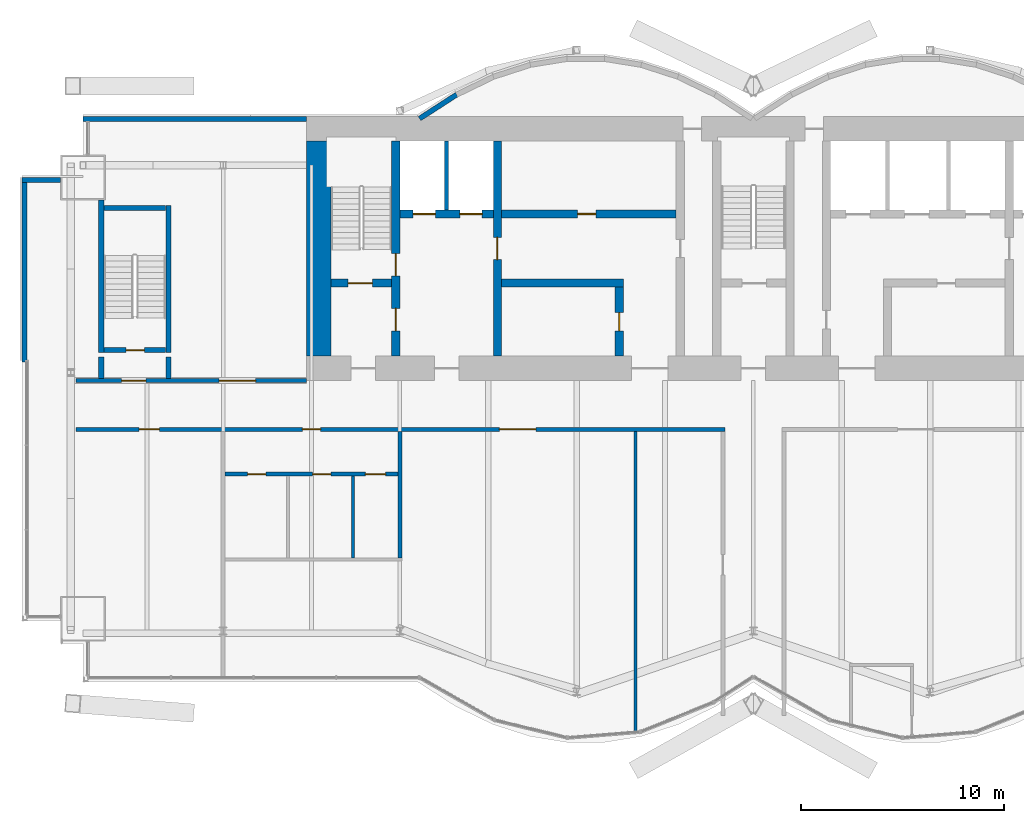
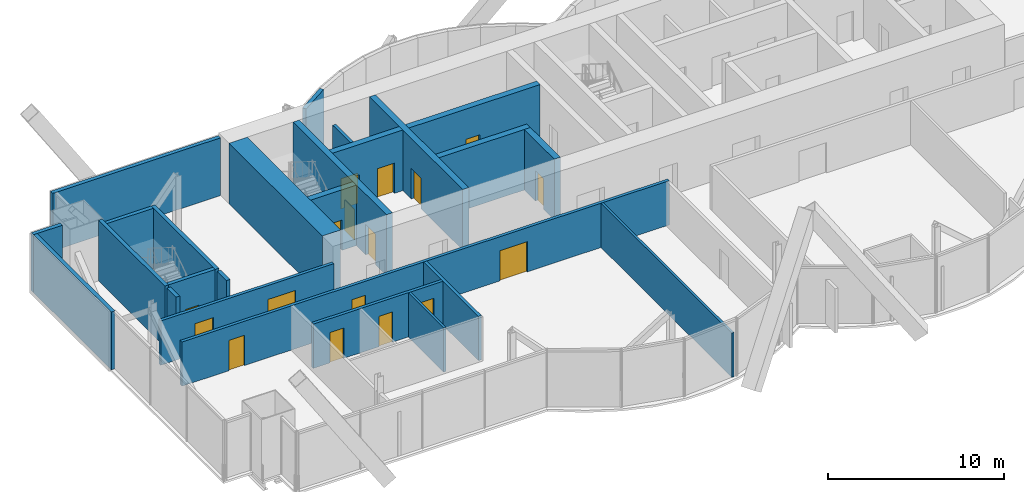
# One storey, part 13 of 19: 24 walls, 17 doors, 17 openings.
"""IFC4 building model written with IfcOpenShell, lengths in metres."""

from ifc_helpers import new_model, si_unit, direction, frame, frame_2d, origin, place, context, subcontext, project, spatial, rectangle, extrude, material, layer, layer_set, layer_usage, type_object, element, fill, save


model = new_model("IFC4")

# Units and contexts
model_context = context("Model", 3, precision=1e-05, world=origin(), true_north=direction((0.0, 1.0)))
body_context = subcontext(model_context, "Body", "Model", "MODEL_VIEW")
ifc_project = project(units=[si_unit("LENGTHUNIT", "METRE"), si_unit("AREAUNIT", "SQUARE_METRE"), si_unit("VOLUMEUNIT", "CUBIC_METRE"), si_unit("PLANEANGLEUNIT", "RADIAN"), si_unit("MASSUNIT", "GRAM", prefix="KILO")], contexts=[model_context])

# Site, building, storey
site_placement = place(None, origin())
site = spatial("IfcSite", under=ifc_project, at=site_placement, CompositionType="ELEMENT")
building_placement = place(site_placement, origin())
building = spatial("IfcBuilding", under=site, at=building_placement, Name="Bicima Exchange Tower", CompositionType="ELEMENT")
storey_placement = place(building_placement, frame((0.0, 0.0, 283.39990234375)))
storey = spatial("IfcBuildingStorey", under=building, at=storey_placement, Name="L64", CompositionType="ELEMENT", Elevation=283.39990234375)

# Wall
ifc_material_1 = material(Name="Gypsum board partition")
ifc_layer_1 = layer(ifc_material_1, 0.199951171875)
ifc_layer_set_1 = layer_set([ifc_layer_1], Name="Gypsum board partition")
wall_type_1 = type_object("IfcWallType", Name="Fire-rated gypsum partition 200 EI120", PredefinedType="PARTITIONING", material=ifc_layer_set_1)
wall_1_placement = place(storey_placement, frame((-15.10009765625, -4.60009765625, 0.0), z_axis=(0.0, 0.0, 1.0), x_axis=(0.0, 1.0, 0.0)))
element("IfcWall", 1, at=wall_1_placement, inside=storey, type_object=wall_type_1, Name="partition wall 9", PredefinedType="PARTITIONING", context=body_context, shape_type="SweptSolid", body=[
    extrude(rectangle(XDim=3.400146484375, YDim=0.199951171875, at=frame_2d((1.7001953125, 0.0))), origin(), (0.0, 0.0, 1.0), 3.068359375),
])

# Wall, openings, doors
ifc_layer_2 = layer(ifc_material_1, 0.199951171875)
ifc_layer_set_2 = layer_set([ifc_layer_2], Name="Gypsum board partition")
wall_type_2 = type_object("IfcWallType", Name="Fire-rated gypsum partition 200 EI60", PredefinedType="PARTITIONING", material=ifc_layer_set_2)
wall_2_placement = place(storey_placement, frame((-26.0, -17.60009765625, 0.0), z_axis=(0.0, 0.0, 1.0), x_axis=(1.0, 0.0, 0.0)))
wall_2 = element("IfcWall", 2, at=wall_2_placement, inside=storey, type_object=wall_type_2, Name="partition wall 4", PredefinedType="PARTITIONING", context=body_context, shape_type="SweptSolid", body=[
    extrude(rectangle(XDim=8.5, YDim=0.199951171875, at=frame_2d((4.25, 0.0))), origin(), (0.0, 0.0, 1.0), 3.068359375),
])
opening_1_placement = place(wall_2_placement, frame((1.10009765625, 0.0, 0.0)))
opening_1 = element("IfcOpeningElement", 3, at=opening_1_placement, cuts=wall_2, Name="Opening L64-009", PredefinedType="OPENING", context=body_context, shape_type="SweptSolid", body=[
    extrude(rectangle(XDim=0.89990234375, YDim=2.10009765625, at=frame_2d((0.449951171875, 1.050048828125))), frame((0.0, 0.11181640625, 0.0), z_axis=(0.0, -1.0, 0.0), x_axis=(1.0, 0.0, 0.0)), (0.0, 0.0, 1.0), 0.223876953125),
])
opening_2_placement = place(wall_2_placement, frame((4.300048828125, 0.0, 0.0)))
opening_2 = element("IfcOpeningElement", 4, at=opening_2_placement, cuts=wall_2, Name="Opening L64-010", PredefinedType="OPENING", context=body_context, shape_type="SweptSolid", body=[
    extrude(rectangle(XDim=0.89990234375, YDim=2.10009765625, at=frame_2d((0.449951171875, 1.050048828125))), frame((0.0, 0.11181640625, 0.0), z_axis=(0.0, -1.0, 0.0), x_axis=(1.0, 0.0, 0.0)), (0.0, 0.0, 1.0), 0.223876953125),
])
opening_3_placement = place(wall_2_placement, frame((6.89990234375, 0.0, 0.0)))
opening_3 = element("IfcOpeningElement", 5, at=opening_3_placement, cuts=wall_2, Name="Opening L64-011", PredefinedType="OPENING", context=body_context, shape_type="SweptSolid", body=[
    extrude(rectangle(XDim=1.0, YDim=2.10009765625, at=frame_2d((0.5, 1.050048828125))), frame((0.0, 0.11181640625, 0.0), z_axis=(0.0, -1.0, 0.0), x_axis=(1.0, 0.0, 0.0)), (0.0, 0.0, 1.0), 0.223876953125),
])
ifc_material_2 = material(Name="Steel fire door leaf", Category="steel")
door_type_1 = type_object("IfcDoorType", Name="Door 1000 swing FD30S", OperationType="SINGLE_SWING_LEFT", PredefinedType="DOOR", material=ifc_material_2)
door_1_placement = place(opening_3_placement, frame((1.0, 0.0, 0.0), z_axis=(0.0, 0.0, 1.0), x_axis=(-1.0, 0.0, 0.0)))
door_1 = element("IfcDoor", 6, at=door_1_placement, inside=storey, type_object=door_type_1, Name="Door", OperationType="SINGLE_SWING_RIGHT", OverallHeight=2.10009765625, OverallWidth=1.0, PredefinedType="DOOR", context=body_context, shape_type="SweptSolid", body=[
    extrude(rectangle(XDim=1.0, YDim=2.10009765625, at=frame_2d((0.5, 1.050048828125))), frame((0.0, 0.02490234375, 0.0), z_axis=(0.0, -1.0, 0.0), x_axis=(1.0, 0.0, 0.0)), (0.0, 0.0, 1.0), 0.050048828125),
])
fill(opening_3, door_1)
door_type_2 = type_object("IfcDoorType", Name="Door 900 swing FD30S", OperationType="SINGLE_SWING_LEFT", PredefinedType="DOOR", material=ifc_material_2)
door_2_placement = place(opening_1_placement, frame((0.89990234375, 0.0, 0.0), z_axis=(0.0, 0.0, 1.0), x_axis=(-1.0, 0.0, 0.0)))
door_2 = element("IfcDoor", 7, at=door_2_placement, inside=storey, type_object=door_type_2, Name="Door", OperationType="SINGLE_SWING_RIGHT", OverallHeight=2.10009765625, OverallWidth=0.89990234375, PredefinedType="DOOR", context=body_context, shape_type="SweptSolid", body=[
    extrude(rectangle(XDim=0.89990234375, YDim=2.10009765625, at=frame_2d((0.449951171875, 1.050048828125))), frame((0.0, 0.02490234375, 0.0), z_axis=(0.0, -1.0, 0.0), x_axis=(1.0, 0.0, 0.0)), (0.0, 0.0, 1.0), 0.050048828125),
])
fill(opening_1, door_2)
door_3_placement = place(opening_2_placement, frame((0.89990234375, 0.0, 0.0), z_axis=(0.0, 0.0, 1.0), x_axis=(-1.0, 0.0, 0.0)))
door_3 = element("IfcDoor", 8, at=door_3_placement, inside=storey, type_object=door_type_2, Name="Door", OperationType="SINGLE_SWING_LEFT", OverallHeight=2.10009765625, OverallWidth=0.89990234375, PredefinedType="DOOR", context=body_context, shape_type="SweptSolid", body=[
    extrude(rectangle(XDim=0.89990234375, YDim=2.10009765625, at=frame_2d((0.449951171875, 1.050048828125))), frame((0.0, 0.02490234375, 0.0), z_axis=(0.0, -1.0, 0.0), x_axis=(1.0, 0.0, 0.0)), (0.0, 0.0, 1.0), 0.050048828125),
])
fill(opening_2, door_3)

wall_3_placement = place(storey_placement, frame((-33.340087890625, -15.39990234375, 0.0), z_axis=(0.0, 0.0, 1.0), x_axis=(1.0, 0.0, 0.0)))
wall_3 = element("IfcWall", 9, at=wall_3_placement, inside=storey, type_object=wall_type_2, Name="partition wall 5", PredefinedType="PARTITIONING", context=body_context, shape_type="SweptSolid", body=[
    extrude(rectangle(XDim=31.940185546875, YDim=0.199951171875, at=frame_2d((15.97021484375, 0.0))), origin(), (0.0, 0.0, 1.0), 3.068359375),
])
opening_4_placement = place(wall_3_placement, frame((3.10009765625, 0.0, 0.0)))
opening_4 = element("IfcOpeningElement", 10, at=opening_4_placement, cuts=wall_3, Name="Opening L64-007", PredefinedType="OPENING", context=body_context, shape_type="SweptSolid", body=[
    extrude(rectangle(XDim=1.0, YDim=2.10009765625, at=frame_2d((0.5, 1.050048828125))), frame((0.0, 0.11181640625, 0.0), z_axis=(0.0, -1.0, 0.0), x_axis=(1.0, 0.0, 0.0)), (0.0, 0.0, 1.0), 0.223876953125),
])
opening_5_placement = place(wall_3_placement, frame((11.139892578125, 0.0, 0.0)))
opening_5 = element("IfcOpeningElement", 11, at=opening_5_placement, cuts=wall_3, Name="Opening L64-008", PredefinedType="OPENING", context=body_context, shape_type="SweptSolid", body=[
    extrude(rectangle(XDim=0.89990234375, YDim=2.10009765625, at=frame_2d((0.449951171875, 1.050048828125))), frame((0.0, 0.11181640625, 0.0), z_axis=(0.0, -1.0, 0.0), x_axis=(1.0, 0.0, 0.0)), (0.0, 0.0, 1.0), 0.223876953125),
])
opening_6_placement = place(wall_3_placement, frame((20.840087890625, 0.0, 0.0)))
opening_6 = element("IfcOpeningElement", 12, at=opening_6_placement, cuts=wall_3, Name="Opening L64-012", PredefinedType="OPENING", context=body_context, shape_type="SweptSolid", body=[
    extrude(rectangle(XDim=1.800048828125, YDim=2.10009765625, at=frame_2d((0.89990234375, 1.050048828125))), frame((0.0, 0.11181640625, 0.0), z_axis=(0.0, -1.0, 0.0), x_axis=(1.0, 0.0, 0.0)), (0.0, 0.0, 1.0), 0.223876953125),
])
door_4_placement = place(opening_4_placement, frame((1.0, 0.0, 0.0), z_axis=(0.0, 0.0, 1.0), x_axis=(-1.0, 0.0, 0.0)))
door_4 = element("IfcDoor", 13, at=door_4_placement, inside=storey, type_object=door_type_1, Name="Door", OperationType="SINGLE_SWING_LEFT", OverallHeight=2.10009765625, OverallWidth=1.0, PredefinedType="DOOR", context=body_context, shape_type="SweptSolid", body=[
    extrude(rectangle(XDim=1.0, YDim=2.10009765625, at=frame_2d((0.5, 1.050048828125))), frame((0.0, 0.02490234375, 0.0), z_axis=(0.0, -1.0, 0.0), x_axis=(1.0, 0.0, 0.0)), (0.0, 0.0, 1.0), 0.050048828125),
])
fill(opening_4, door_4)
door_type_3 = type_object("IfcDoorType", Name="Door 1800 double swing FD30S", OperationType="DOUBLE_DOOR_SINGLE_SWING", PredefinedType="DOOR", material=ifc_material_2)
door_5_placement = place(opening_6_placement, origin())
door_5 = element("IfcDoor", 14, at=door_5_placement, inside=storey, type_object=door_type_3, Name="Door", OperationType="SINGLE_SWING_LEFT", OverallHeight=2.10009765625, OverallWidth=1.800048828125, PredefinedType="DOOR", context=body_context, shape_type="SweptSolid", body=[
    extrude(rectangle(XDim=1.800048828125, YDim=2.10009765625, at=frame_2d((0.89990234375, 1.050048828125))), frame((0.0, 0.02490234375, 0.0), z_axis=(0.0, -1.0, 0.0), x_axis=(1.0, 0.0, 0.0)), (0.0, 0.0, 1.0), 0.050048828125),
])
fill(opening_6, door_5)
door_6_placement = place(opening_5_placement, frame((0.89990234375, 0.0, 0.0), z_axis=(0.0, 0.0, 1.0), x_axis=(-1.0, 0.0, 0.0)))
door_6 = element("IfcDoor", 15, at=door_6_placement, inside=storey, type_object=door_type_2, Name="Door", OperationType="SINGLE_SWING_RIGHT", OverallHeight=2.10009765625, OverallWidth=0.89990234375, PredefinedType="DOOR", context=body_context, shape_type="SweptSolid", body=[
    extrude(rectangle(XDim=0.89990234375, YDim=2.10009765625, at=frame_2d((0.449951171875, 1.050048828125))), frame((0.0, 0.02490234375, 0.0), z_axis=(0.0, -1.0, 0.0), x_axis=(1.0, 0.0, 0.0)), (0.0, 0.0, 1.0), 0.050048828125),
])
fill(opening_5, door_6)

wall_4_placement = place(storey_placement, frame((-33.340087890625, -13.0, 0.0), z_axis=(0.0, 0.0, 1.0), x_axis=(1.0, 0.0, 0.0)))
wall_4 = element("IfcWall", 16, at=wall_4_placement, inside=storey, type_object=wall_type_2, Name="partition wall 7", PredefinedType="PARTITIONING", context=body_context, shape_type="SweptSolid", body=[
    extrude(rectangle(XDim=11.340087890625, YDim=0.199951171875, at=frame_2d((5.669921875, 0.0))), origin(), (0.0, 0.0, 1.0), 3.068359375),
])
opening_7_placement = place(wall_4_placement, frame((2.239990234375, 0.0, 0.0)))
opening_7 = element("IfcOpeningElement", 17, at=opening_7_placement, cuts=wall_4, Name="Opening L64-001", PredefinedType="OPENING", context=body_context, shape_type="SweptSolid", body=[
    extrude(rectangle(XDim=1.199951171875, YDim=2.10009765625, at=frame_2d((0.60009765625, 1.050048828125))), frame((0.0, 0.11181640625, 0.0), z_axis=(0.0, -1.0, 0.0), x_axis=(1.0, 0.0, 0.0)), (0.0, 0.0, 1.0), 0.223876953125),
])
opening_8_placement = place(wall_4_placement, frame((7.0400390625, 0.0, 0.0)))
opening_8 = element("IfcOpeningElement", 18, at=opening_8_placement, cuts=wall_4, Name="Opening L64-005", PredefinedType="OPENING", context=body_context, shape_type="SweptSolid", body=[
    extrude(rectangle(XDim=1.800048828125, YDim=2.10009765625, at=frame_2d((0.89990234375, 1.050048828125))), frame((0.0, 0.11181640625, 0.0), z_axis=(0.0, -1.0, 0.0), x_axis=(1.0, 0.0, 0.0)), (0.0, 0.0, 1.0), 0.223876953125),
])
door_type_4 = type_object("IfcDoorType", Name="Door 1200 swing FD30S", OperationType="SINGLE_SWING_LEFT", PredefinedType="DOOR", material=ifc_material_2)
door_7_placement = place(opening_7_placement, origin())
door_7 = element("IfcDoor", 19, at=door_7_placement, inside=storey, type_object=door_type_4, Name="Door", OperationType="SINGLE_SWING_LEFT", OverallHeight=2.10009765625, OverallWidth=1.199951171875, PredefinedType="DOOR", context=body_context, shape_type="SweptSolid", body=[
    extrude(rectangle(XDim=1.199951171875, YDim=2.10009765625, at=frame_2d((0.60009765625, 1.050048828125))), frame((0.0, 0.02490234375, 0.0), z_axis=(0.0, -1.0, 0.0), x_axis=(1.0, 0.0, 0.0)), (0.0, 0.0, 1.0), 0.050048828125),
])
fill(opening_7, door_7)
door_8_placement = place(opening_8_placement, origin())
door_8 = element("IfcDoor", 20, at=door_8_placement, inside=storey, type_object=door_type_3, Name="Door", OperationType="SINGLE_SWING_LEFT", OverallHeight=2.10009765625, OverallWidth=1.800048828125, PredefinedType="DOOR", context=body_context, shape_type="SweptSolid", body=[
    extrude(rectangle(XDim=1.800048828125, YDim=2.10009765625, at=frame_2d((0.89990234375, 1.050048828125))), frame((0.0, 0.02490234375, 0.0), z_axis=(0.0, -1.0, 0.0), x_axis=(1.0, 0.0, 0.0)), (0.0, 0.0, 1.0), 0.050048828125),
])
fill(opening_8, door_8)

# Walls
wall_5_placement = place(storey_placement, frame((-17.39990234375, -21.72509765625, 0.0), z_axis=(0.0, 0.0, 1.0), x_axis=(0.0, 1.0, 0.0)))
element("IfcWall", 21, at=wall_5_placement, inside=storey, type_object=wall_type_2, Name="partition wall 18", PredefinedType="PARTITIONING", context=body_context, shape_type="SweptSolid", body=[
    extrude(rectangle(XDim=6.22509765625, YDim=0.199951171875, at=frame_2d((3.112548828125, 0.0))), origin(), (0.0, 0.0, 1.0), 3.068359375),
])
ifc_layer_3 = layer(ifc_material_1, 0.14990234375)
ifc_layer_set_3 = layer_set([ifc_layer_3], Name="Gypsum board partition")
wall_type_3 = type_object("IfcWallType", Name="Gypsum partition 150", PredefinedType="PARTITIONING", material=ifc_layer_set_3)
wall_6_placement = place(storey_placement, frame((-19.699951171875, -21.72509765625, 0.0), z_axis=(0.0, 0.0, 1.0), x_axis=(0.0, 1.0, 0.0)))
element("IfcWall", 22, at=wall_6_placement, inside=storey, type_object=wall_type_3, Name="partition wall 17", PredefinedType="PARTITIONING", context=body_context, shape_type="SweptSolid", body=[
    extrude(rectangle(XDim=4.025146484375, YDim=0.14990234375, at=frame_2d((2.0126953125, 0.0))), origin(), (0.0, 0.0, 1.0), 3.068359375),
])
wall_7_placement = place(storey_placement, frame((-5.800048828125, -30.35009765625, 0.0), z_axis=(0.0, 0.0, 1.0), x_axis=(0.0, 1.0, 0.0)))
element("IfcWall", 23, at=wall_7_placement, inside=storey, type_object=wall_type_3, Name="partition wall 19", PredefinedType="PARTITIONING", context=body_context, shape_type="SweptSolid", body=[
    extrude(rectangle(XDim=14.85009765625, YDim=0.14990234375, at=frame_2d((7.425048828125, 0.0))), origin(), (0.0, 0.0, 1.0), 3.068359375),
])
ifc_material_3 = material(Name="Concrete C40/50", Category="concrete")
ifc_layer_4 = layer(ifc_material_3, 1.199951171875)
ifc_layer_set_4 = layer_set([ifc_layer_4], Name="Concrete C40/50")
wall_type_4 = type_object("IfcWallType", Name="RC core wall 1200 C40/50", PredefinedType="SHEAR", material=ifc_layer_set_4)
wall_8_placement = place(storey_placement, frame((-21.39990234375, -11.800048828125, 0.0), z_axis=(0.0, 0.0, 1.0), x_axis=(0.0, 1.0, 0.0)))
element("IfcWall", 24, at=wall_8_placement, inside=storey, type_object=wall_type_4, Name="Core wall west", PredefinedType="SHEAR", context=body_context, shape_type="SweptSolid", body=[
    extrude(rectangle(XDim=10.60009765625, YDim=1.199951171875, at=frame_2d((5.300048828125, 0.0))), origin(), (0.0, 0.0, 1.0), 4.2001953125),
])
ifc_material_4 = material(Name="Concrete C50/60", Category="concrete")
ifc_layer_5 = layer(ifc_material_4, 0.25)
ifc_layer_set_5 = layer_set([ifc_layer_5], Name="Concrete C50/60")
wall_type_5 = type_object("IfcWallType", Name="RC core wall 250 C50/60", PredefinedType="SHEAR", material=ifc_layer_set_5)
for number, where, z_axis, x_axis, name in (
    (25, (-32.10009765625, -12.89990234375, 0.0), (0.0, 0.0, 1.0), (0.0, 1.0, 0.0), "stair wall 13"),
    (26, (-28.800048828125, -12.89990234375, 0.0), (0.0, 0.0, 1.0), (0.0, 1.0, 0.0), "stair wall 14"),
):
    element("IfcWall", number, at=place(storey_placement, frame(where, z_axis=z_axis, x_axis=x_axis)), inside=storey, type_object=wall_type_5, Name=name, PredefinedType="SHEAR", context=body_context, shape_type="SweptSolid", body=[
        extrude(rectangle(XDim=1.0498046875, YDim=0.25, at=frame_2d((0.52490234375, 0.0))), origin(), (0.0, 0.0, 1.0), 4.2001953125),
    ])
ifc_layer_6 = layer(ifc_material_3, 0.39990234375)
ifc_layer_set_6 = layer_set([ifc_layer_6], Name="Concrete C40/50")
wall_type_6 = type_object("IfcWallType", Name="RC core wall 400 C40/50", PredefinedType="SHEAR", material=ifc_layer_set_6)
wall_9_placement = place(storey_placement, frame((-12.39990234375, -8.199951171875, 0.0), z_axis=(0.0, 0.0, 1.0), x_axis=(1.0, 0.0, 0.0)))
element("IfcWall", 27, at=wall_9_placement, inside=storey, type_object=wall_type_6, Name="shear wall 2", PredefinedType="SHEAR", context=body_context, shape_type="SweptSolid", body=[
    extrude(rectangle(XDim=6.0, YDim=0.39990234375, at=frame_2d((3.0, 0.0))), origin(), (0.0, 0.0, 1.0), 4.2001953125),
])

# Wall, openings, doors
wall_10_placement = place(storey_placement, frame((-17.39990234375, -4.800048828125, 0.0), z_axis=(0.0, 0.0, 1.0), x_axis=(1.0, 0.0, 0.0)))
wall_10 = element("IfcWall", 28, at=wall_10_placement, inside=storey, type_object=wall_type_6, Name="shear wall 6", PredefinedType="SHEAR", context=body_context, shape_type="SweptSolid", body=[
    extrude(rectangle(XDim=13.599853515625, YDim=0.39990234375, at=frame_2d((6.7998046875, 0.0))), origin(), (0.0, 0.0, 1.0), 4.2001953125),
])
opening_9_placement = place(wall_10_placement, frame((0.64990234375, 0.0, 0.0)))
opening_9 = element("IfcOpeningElement", 29, at=opening_9_placement, cuts=wall_10, Name="Opening LD-FF1-L64", PredefinedType="OPENING", context=body_context, shape_type="SweptSolid", body=[
    extrude(rectangle(XDim=1.10009765625, YDim=2.10009765625, at=frame_2d((0.550048828125, 1.050048828125))), frame((0.0, 0.2119140625, 0.0), z_axis=(0.0, -1.0, 0.0), x_axis=(1.0, 0.0, 0.0)), (0.0, 0.0, 1.0), 0.423828125),
])
opening_10_placement = place(wall_10_placement, frame((2.949951171875, 0.0, 0.0)))
opening_10 = element("IfcOpeningElement", 30, at=opening_10_placement, cuts=wall_10, Name="Opening LD-FF3-L64", PredefinedType="OPENING", context=body_context, shape_type="SweptSolid", body=[
    extrude(rectangle(XDim=1.10009765625, YDim=2.10009765625, at=frame_2d((0.550048828125, 1.050048828125))), frame((0.0, 0.2119140625, 0.0), z_axis=(0.0, -1.0, 0.0), x_axis=(1.0, 0.0, 0.0)), (0.0, 0.0, 1.0), 0.423828125),
])
opening_11_placement = place(wall_10_placement, frame((8.75, 0.0, 0.0)))
opening_11 = element("IfcOpeningElement", 31, at=opening_11_placement, cuts=wall_10, Name="Opening L64-C12", PredefinedType="OPENING", context=body_context, shape_type="SweptSolid", body=[
    extrude(rectangle(XDim=0.89990234375, YDim=2.10009765625, at=frame_2d((0.449951171875, 1.050048828125))), frame((0.0, 0.2119140625, 0.0), z_axis=(0.0, -1.0, 0.0), x_axis=(1.0, 0.0, 0.0)), (0.0, 0.0, 1.0), 0.423828125),
])
door_9_placement = place(opening_11_placement, origin())
door_9 = element("IfcDoor", 32, at=door_9_placement, inside=storey, type_object=door_type_2, Name="Core door", OperationType="SINGLE_SWING_RIGHT", OverallHeight=2.10009765625, OverallWidth=0.89990234375, PredefinedType="DOOR", context=body_context, shape_type="SweptSolid", body=[
    extrude(rectangle(XDim=0.89990234375, YDim=2.10009765625, at=frame_2d((0.449951171875, 1.050048828125))), frame((0.0, 0.02490234375, 0.0), z_axis=(0.0, -1.0, 0.0), x_axis=(1.0, 0.0, 0.0)), (0.0, 0.0, 1.0), 0.050048828125),
])
fill(opening_11, door_9)
ifc_material_5 = material(Name="Stainless steel", Category="steel")
door_type_5 = type_object("IfcDoorType", Name="Lift landing door 1100 sliding", OperationType="DOUBLE_DOOR_SLIDING", PredefinedType="DOOR", material=ifc_material_5)
door_10_placement = place(opening_9_placement, origin())
door_10 = element("IfcDoor", 33, at=door_10_placement, inside=storey, type_object=door_type_5, Name="Lift landing door FF1", OperationType="DOUBLE_DOOR_SLIDING", OverallHeight=2.10009765625, OverallWidth=1.10009765625, PredefinedType="DOOR", context=body_context, shape_type="SweptSolid", body=[
    extrude(rectangle(XDim=1.10009765625, YDim=2.10009765625, at=frame_2d((0.550048828125, 1.050048828125))), frame((0.0, 0.02490234375, 0.0), z_axis=(0.0, -1.0, 0.0), x_axis=(1.0, 0.0, 0.0)), (0.0, 0.0, 1.0), 0.050048828125),
])
fill(opening_9, door_10)
door_11_placement = place(opening_10_placement, origin())
door_11 = element("IfcDoor", 34, at=door_11_placement, inside=storey, type_object=door_type_5, Name="Lift landing door FF3", OperationType="DOUBLE_DOOR_SLIDING", OverallHeight=2.10009765625, OverallWidth=1.10009765625, PredefinedType="DOOR", context=body_context, shape_type="SweptSolid", body=[
    extrude(rectangle(XDim=1.10009765625, YDim=2.10009765625, at=frame_2d((0.550048828125, 1.050048828125))), frame((0.0, 0.02490234375, 0.0), z_axis=(0.0, -1.0, 0.0), x_axis=(1.0, 0.0, 0.0)), (0.0, 0.0, 1.0), 0.050048828125),
])
fill(opening_10, door_11)

# Wall, opening, door
wall_11_placement = place(storey_placement, frame((-12.60009765625, -11.800048828125, 0.0), z_axis=(0.0, 0.0, 1.0), x_axis=(0.0, 1.0, 0.0)))
wall_11 = element("IfcWall", 35, at=wall_11_placement, inside=storey, type_object=wall_type_6, Name="shear wall 10", PredefinedType="SHEAR", context=body_context, shape_type="SweptSolid", body=[
    extrude(rectangle(XDim=10.60009765625, YDim=0.39990234375, at=frame_2d((5.300048828125, 0.0))), origin(), (0.0, 0.0, 1.0), 4.2001953125),
])
opening_12_placement = place(wall_11_placement, frame((4.75, 0.0, 0.0)))
opening_12 = element("IfcOpeningElement", 36, at=opening_12_placement, cuts=wall_11, Name="Opening L64-C07", PredefinedType="OPENING", context=body_context, shape_type="SweptSolid", body=[
    extrude(rectangle(XDim=1.10009765625, YDim=2.10009765625, at=frame_2d((0.550048828125, 1.050048828125))), frame((0.0, 0.2119140625, 0.0), z_axis=(0.0, -1.0, 0.0), x_axis=(1.0, 0.0, 0.0)), (0.0, 0.0, 1.0), 0.423828125),
])
door_type_6 = type_object("IfcDoorType", Name="Door 1100 swing FD60S", OperationType="SINGLE_SWING_LEFT", PredefinedType="DOOR", material=ifc_material_2)
door_12_placement = place(opening_12_placement, origin())
door_12 = element("IfcDoor", 37, at=door_12_placement, inside=storey, type_object=door_type_6, Name="Core door", OperationType="SINGLE_SWING_LEFT", OverallHeight=2.10009765625, OverallWidth=1.10009765625, PredefinedType="DOOR", context=body_context, shape_type="SweptSolid", body=[
    extrude(rectangle(XDim=1.10009765625, YDim=2.10009765625, at=frame_2d((0.550048828125, 1.050048828125))), frame((0.0, 0.02490234375, 0.0), z_axis=(0.0, -1.0, 0.0), x_axis=(1.0, 0.0, 0.0)), (0.0, 0.0, 1.0), 0.050048828125),
])
fill(opening_12, door_12)

wall_12_placement = place(storey_placement, frame((-6.60009765625, -11.800048828125, 0.0), z_axis=(0.0, 0.0, 1.0), x_axis=(0.0, 1.0, 0.0)))
wall_12 = element("IfcWall", 38, at=wall_12_placement, inside=storey, type_object=wall_type_6, Name="shear wall 11", PredefinedType="SHEAR", context=body_context, shape_type="SweptSolid", body=[
    extrude(rectangle(XDim=3.400146484375, YDim=0.39990234375, at=frame_2d((1.7001953125, 0.0))), origin(), (0.0, 0.0, 1.0), 4.2001953125),
])
opening_13_placement = place(wall_12_placement, frame((1.25, 0.0, 0.0)))
opening_13 = element("IfcOpeningElement", 39, at=opening_13_placement, cuts=wall_12, Name="Opening L64-C13", PredefinedType="OPENING", context=body_context, shape_type="SweptSolid", body=[
    extrude(rectangle(XDim=0.89990234375, YDim=2.10009765625, at=frame_2d((0.449951171875, 1.050048828125))), frame((0.0, 0.2119140625, 0.0), z_axis=(0.0, -1.0, 0.0), x_axis=(1.0, 0.0, 0.0)), (0.0, 0.0, 1.0), 0.423828125),
])
door_13_placement = place(opening_13_placement, origin())
door_13 = element("IfcDoor", 40, at=door_13_placement, inside=storey, type_object=door_type_2, Name="Core door", OperationType="SINGLE_SWING_LEFT", OverallHeight=2.10009765625, OverallWidth=0.89990234375, PredefinedType="DOOR", context=body_context, shape_type="SweptSolid", body=[
    extrude(rectangle(XDim=0.89990234375, YDim=2.10009765625, at=frame_2d((0.449951171875, 1.050048828125))), frame((0.0, 0.02490234375, 0.0), z_axis=(0.0, -1.0, 0.0), x_axis=(1.0, 0.0, 0.0)), (0.0, 0.0, 1.0), 0.050048828125),
])
fill(opening_13, door_13)

ifc_layer_7 = layer(ifc_material_4, 0.39990234375)
ifc_layer_set_7 = layer_set([ifc_layer_7], Name="Concrete C50/60")
wall_type_7 = type_object("IfcWallType", Name="RC core wall 400 C50/60", PredefinedType="SHEAR", material=ifc_layer_set_7)
wall_13_placement = place(storey_placement, frame((-20.800048828125, -8.199951171875, 0.0), z_axis=(0.0, 0.0, 1.0), x_axis=(1.0, 0.0, 0.0)))
wall_13 = element("IfcWall", 41, at=wall_13_placement, inside=storey, type_object=wall_type_7, Name="stair wall 1", PredefinedType="SHEAR", context=body_context, shape_type="SweptSolid", body=[
    extrude(rectangle(XDim=3.0, YDim=0.39990234375, at=frame_2d((1.5, 0.0))), origin(), (0.0, 0.0, 1.0), 4.2001953125),
])
opening_14_placement = place(wall_13_placement, frame((0.85009765625, 0.0, 0.0)))
opening_14 = element("IfcOpeningElement", 42, at=opening_14_placement, cuts=wall_13, Name="Opening L64-C01", PredefinedType="OPENING", context=body_context, shape_type="SweptSolid", body=[
    extrude(rectangle(XDim=1.199951171875, YDim=2.10009765625, at=frame_2d((0.60009765625, 1.050048828125))), frame((0.0, 0.2119140625, 0.0), z_axis=(0.0, -1.0, 0.0), x_axis=(1.0, 0.0, 0.0)), (0.0, 0.0, 1.0), 0.423828125),
])
door_type_7 = type_object("IfcDoorType", Name="Door 1200 swing FD60S", OperationType="SINGLE_SWING_LEFT", PredefinedType="DOOR", material=ifc_material_2)
door_14_placement = place(opening_14_placement, origin())
door_14 = element("IfcDoor", 43, at=door_14_placement, inside=storey, type_object=door_type_7, Name="Core door", OperationType="SINGLE_SWING_LEFT", OverallHeight=2.10009765625, OverallWidth=1.199951171875, PredefinedType="DOOR", context=body_context, shape_type="SweptSolid", body=[
    extrude(rectangle(XDim=1.199951171875, YDim=2.10009765625, at=frame_2d((0.60009765625, 1.050048828125))), frame((0.0, 0.02490234375, 0.0), z_axis=(0.0, -1.0, 0.0), x_axis=(1.0, 0.0, 0.0)), (0.0, 0.0, 1.0), 0.050048828125),
])
fill(opening_14, door_14)

# Wall, openings, doors
wall_14_placement = place(storey_placement, frame((-17.60009765625, -11.800048828125, 0.0), z_axis=(0.0, 0.0, 1.0), x_axis=(0.0, 1.0, 0.0)))
wall_14 = element("IfcWall", 44, at=wall_14_placement, inside=storey, type_object=wall_type_7, Name="stair wall 8", PredefinedType="SHEAR", context=body_context, shape_type="SweptSolid", body=[
    extrude(rectangle(XDim=10.60009765625, YDim=0.39990234375, at=frame_2d((5.300048828125, 0.0))), origin(), (0.0, 0.0, 1.0), 4.2001953125),
])
opening_15_placement = place(wall_14_placement, frame((1.25, 0.0, 0.0)))
opening_15 = element("IfcOpeningElement", 45, at=opening_15_placement, cuts=wall_14, Name="Opening L64-C02", PredefinedType="OPENING", context=body_context, shape_type="SweptSolid", body=[
    extrude(rectangle(XDim=1.10009765625, YDim=2.10009765625, at=frame_2d((0.550048828125, 1.050048828125))), frame((0.0, 0.2119140625, 0.0), z_axis=(0.0, -1.0, 0.0), x_axis=(1.0, 0.0, 0.0)), (0.0, 0.0, 1.0), 0.423828125),
])
opening_16_placement = place(wall_14_placement, frame((3.949951171875, 0.0, 0.0)))
opening_16 = element("IfcOpeningElement", 46, at=opening_16_placement, cuts=wall_14, Name="Opening L64-C06", PredefinedType="OPENING", context=body_context, shape_type="SweptSolid", body=[
    extrude(rectangle(XDim=1.10009765625, YDim=2.10009765625, at=frame_2d((0.550048828125, 1.050048828125))), frame((0.0, 0.2119140625, 0.0), z_axis=(0.0, -1.0, 0.0), x_axis=(1.0, 0.0, 0.0)), (0.0, 0.0, 1.0), 0.423828125),
])
door_15_placement = place(opening_15_placement, frame((1.10009765625, 0.0, 0.0), z_axis=(0.0, 0.0, 1.0), x_axis=(-1.0, 0.0, 0.0)))
door_15 = element("IfcDoor", 47, at=door_15_placement, inside=storey, type_object=door_type_6, Name="Core door", OperationType="SINGLE_SWING_LEFT", OverallHeight=2.10009765625, OverallWidth=1.10009765625, PredefinedType="DOOR", context=body_context, shape_type="SweptSolid", body=[
    extrude(rectangle(XDim=1.10009765625, YDim=2.10009765625, at=frame_2d((0.550048828125, 1.050048828125))), frame((0.0, 0.02490234375, 0.0), z_axis=(0.0, -1.0, 0.0), x_axis=(1.0, 0.0, 0.0)), (0.0, 0.0, 1.0), 0.050048828125),
])
fill(opening_15, door_15)
door_16_placement = place(opening_16_placement, frame((1.10009765625, 0.0, 0.0), z_axis=(0.0, 0.0, 1.0), x_axis=(-1.0, 0.0, 0.0)))
door_16 = element("IfcDoor", 48, at=door_16_placement, inside=storey, type_object=door_type_6, Name="Core door", OperationType="SINGLE_SWING_LEFT", OverallHeight=2.10009765625, OverallWidth=1.10009765625, PredefinedType="DOOR", context=body_context, shape_type="SweptSolid", body=[
    extrude(rectangle(XDim=1.10009765625, YDim=2.10009765625, at=frame_2d((0.550048828125, 1.050048828125))), frame((0.0, 0.02490234375, 0.0), z_axis=(0.0, -1.0, 0.0), x_axis=(1.0, 0.0, 0.0)), (0.0, 0.0, 1.0), 0.050048828125),
])
fill(opening_16, door_16)

# Walls
ifc_layer_8 = layer(ifc_material_4, 0.25)
ifc_layer_set_8 = layer_set([ifc_layer_8], Name="Concrete C50/60")
wall_type_8 = type_object("IfcWallType", Name="RC stair enclosure wall 250 C50/60", PredefinedType="SHEAR", material=ifc_layer_set_8)
wall_15_placement = place(storey_placement, frame((-32.10009765625, -11.625, 0.0), z_axis=(0.0, 0.0, 1.0), x_axis=(0.0, 1.0, 0.0)))
element("IfcWall", 49, at=wall_15_placement, inside=storey, type_object=wall_type_8, Name="West end exit stair wall W", PredefinedType="SHEAR", context=body_context, shape_type="SweptSolid", body=[
    extrude(rectangle(XDim=7.52490234375, YDim=0.25, at=frame_2d((3.762451171875, 0.0))), origin(), (0.0, 0.0, 1.0), 4.2001953125),
])
wall_16_placement = place(storey_placement, frame((-28.800048828125, -11.625, 0.0), z_axis=(0.0, 0.0, 1.0), x_axis=(0.0, 1.0, 0.0)))
element("IfcWall", 50, at=wall_16_placement, inside=storey, type_object=wall_type_8, Name="West end exit stair wall E", PredefinedType="SHEAR", context=body_context, shape_type="SweptSolid", body=[
    extrude(rectangle(XDim=7.25, YDim=0.25, at=frame_2d((3.625, 0.0))), origin(), (0.0, 0.0, 1.0), 4.2001953125),
])

# Wall, opening, door
wall_17_placement = place(storey_placement, frame((-31.97509765625, -11.5, 0.0), z_axis=(0.0, 0.0, 1.0), x_axis=(1.0, 0.0, 0.0)))
wall_17 = element("IfcWall", 51, at=wall_17_placement, inside=storey, type_object=wall_type_8, Name="West end exit stair wall S", PredefinedType="SHEAR", context=body_context, shape_type="SweptSolid", body=[
    extrude(rectangle(XDim=3.050048828125, YDim=0.25, at=frame_2d((1.52490234375, 0.0))), origin(), (0.0, 0.0, 1.0), 4.2001953125),
])
opening_17_placement = place(wall_17_placement, frame((1.10009765625, 0.0, 0.0)))
opening_17 = element("IfcOpeningElement", 52, at=opening_17_placement, cuts=wall_17, Name="Opening L64-002", PredefinedType="OPENING", context=body_context, shape_type="SweptSolid", body=[
    extrude(rectangle(XDim=0.89990234375, YDim=2.10009765625, at=frame_2d((0.449951171875, 1.050048828125))), frame((0.0, 0.136962890625, 0.0), z_axis=(0.0, -1.0, 0.0), x_axis=(1.0, 0.0, 0.0)), (0.0, 0.0, 1.0), 0.27392578125),
])
door_type_8 = type_object("IfcDoorType", Name="Door 900 swing FD60S", OperationType="SINGLE_SWING_LEFT", PredefinedType="DOOR", material=ifc_material_2)
door_17_placement = place(opening_17_placement, origin())
door_17 = element("IfcDoor", 53, at=door_17_placement, inside=storey, type_object=door_type_8, Name="Door", OperationType="SINGLE_SWING_LEFT", OverallHeight=2.10009765625, OverallWidth=0.89990234375, PredefinedType="DOOR", context=body_context, shape_type="SweptSolid", body=[
    extrude(rectangle(XDim=0.89990234375, YDim=2.10009765625, at=frame_2d((0.449951171875, 1.050048828125))), frame((0.0, 0.02490234375, 0.0), z_axis=(0.0, -1.0, 0.0), x_axis=(1.0, 0.0, 0.0)), (0.0, 0.0, 1.0), 0.050048828125),
])
fill(opening_17, door_17)

# Walls
wall_18_placement = place(storey_placement, frame((-31.97509765625, -4.5, 0.0), z_axis=(0.0, 0.0, 1.0), x_axis=(1.0, 0.0, 0.0)))
element("IfcWall", 54, at=wall_18_placement, inside=storey, type_object=wall_type_8, Name="West end exit stair wall N", PredefinedType="SHEAR", context=body_context, shape_type="SweptSolid", body=[
    extrude(rectangle(XDim=3.050048828125, YDim=0.25, at=frame_2d((1.52490234375, 0.0))), origin(), (0.0, 0.0, 1.0), 4.2001953125),
])
ifc_layer_9 = layer(ifc_material_3, 0.25)
ifc_layer_set_9 = layer_set([ifc_layer_9], Name="Concrete C40/50")
ifc_layer_usage = layer_usage(ifc_layer_set_9, "AXIS2", "POSITIVE", -0.125)
wall_type_9 = type_object("IfcWallType", Name="Rear backup wall 250", PredefinedType="STANDARD", material=ifc_layer_set_9)
wall_19_placement = place(storey_placement, frame((-14.598876953125, 1.080078125, 0.0), z_axis=(0.0, 0.0, 1.0), x_axis=(-0.83981312244, -0.542875602121, 0.0)))
element("IfcWall", 55, at=wall_19_placement, inside=storey, type_object=wall_type_9, material=ifc_layer_usage, Name="Rear backup wall L64 19", PredefinedType="STANDARD", context=body_context, shape_type="SweptSolid", body=[
    extrude(rectangle(XDim=2.182861328125, YDim=0.25, at=frame_2d((1.09130859375, 0.0))), origin(), (0.0, 0.0, 1.0), 4.0),
])
wall_20_placement = place(storey_placement, frame((-22.0, -0.125, 0.0), z_axis=(0.0, 0.0, 1.0), x_axis=(-1.0, 0.0, 0.0)))
element("IfcWall", 56, at=wall_20_placement, inside=storey, type_object=wall_type_9, material=ifc_layer_usage, Name="Rear backup wall L64 20", PredefinedType="STANDARD", context=body_context, shape_type="SweptSolid", body=[
    extrude(rectangle(XDim=11.0, YDim=0.25, at=frame_2d((5.5, 0.0))), origin(), (0.0, 0.0, 1.0), 4.0),
])
wall_21_placement = place(storey_placement, frame((-34.10009765625, -3.125, 0.0), z_axis=(0.0, 0.0, 1.0), x_axis=(-1.0, 0.0, 0.0)))
element("IfcWall", 57, at=wall_21_placement, inside=storey, type_object=wall_type_9, material=ifc_layer_usage, Name="Rear backup wall L64 22", PredefinedType="STANDARD", context=body_context, shape_type="SweptSolid", body=[
    extrude(rectangle(XDim=1.89990234375, YDim=0.25, at=frame_2d((0.949951171875, 0.0))), origin(), (0.0, 0.0, 1.0), 4.0),
])
wall_22_placement = place(storey_placement, frame((-35.875, -3.0, 0.0), z_axis=(0.0, 0.0, 1.0), x_axis=(0.0, -1.0, 0.0)))
element("IfcWall", 58, at=wall_22_placement, inside=storey, type_object=wall_type_9, material=ifc_layer_usage, Name="Rear backup wall L64 23", PredefinedType="STANDARD", context=body_context, shape_type="SweptSolid", body=[
    extrude(rectangle(XDim=9.090087890625, YDim=0.25, at=frame_2d((4.544921875, 0.0))), origin(), (0.0, 0.0, 1.0), 4.0),
])

save(model, "model.ifc")
